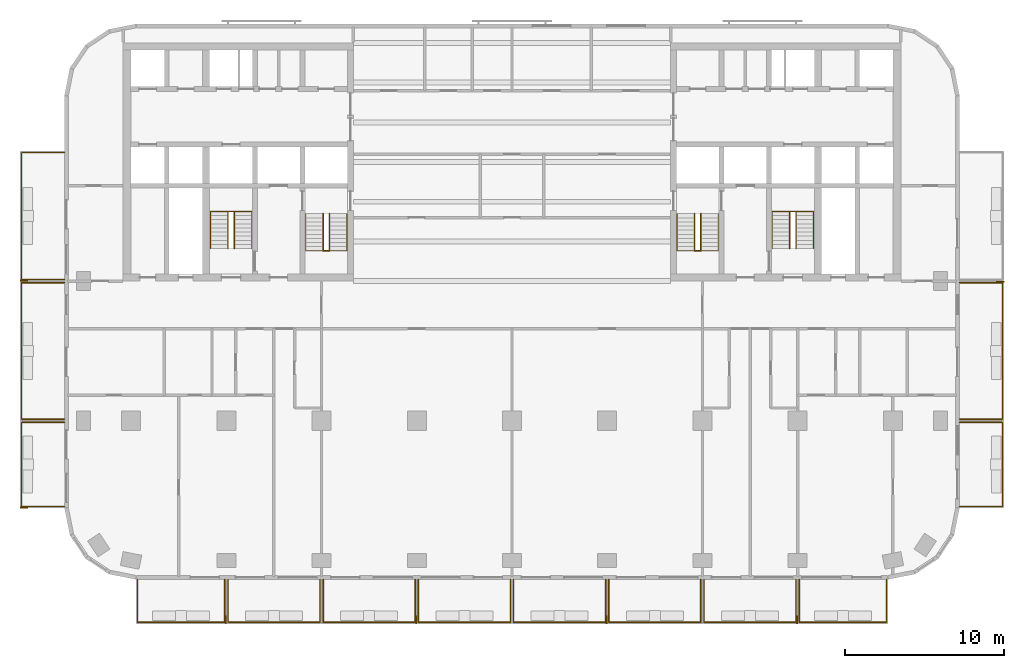
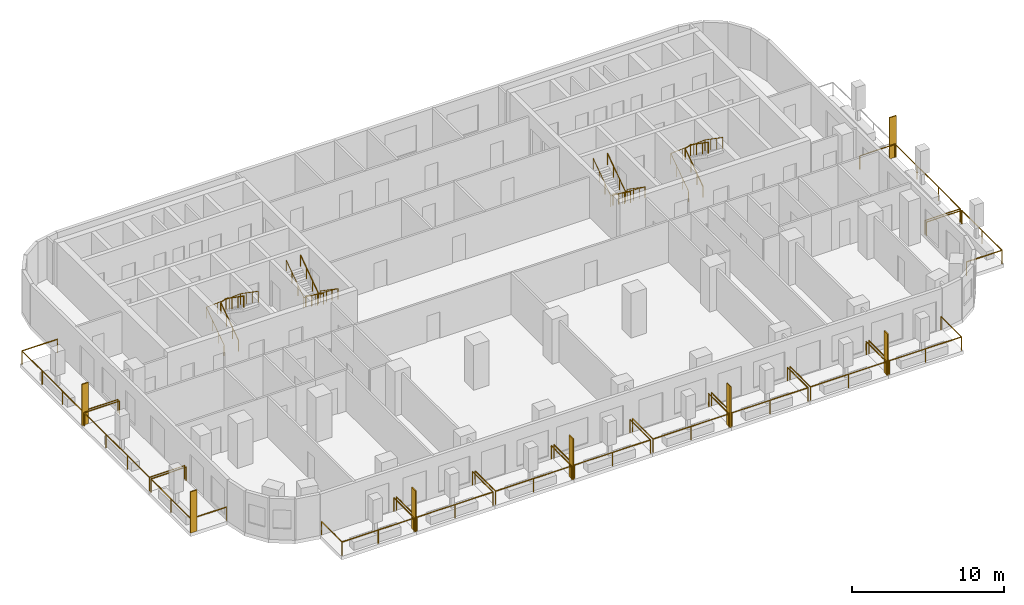
# One storey, part 9 of 11: 21 railings, 7 shading devices.
"""IFC4 building model written with IfcOpenShell, lengths in metres."""

from ifc_helpers import new_model, si_unit, direction, frame, origin, origin_2d, place, context, subcontext, project, spatial, rectangle, circle, extrude, material, layer, layer_set, type_object, element, save


model = new_model("IFC4")

# Units and contexts
model_context = context("Model", 3, precision=1e-05, world=origin(), true_north=direction((0.0, 1.0)))
body_context = subcontext(model_context, "Body", "Model", "MODEL_VIEW")
ifc_project = project(units=[si_unit("LENGTHUNIT", "METRE"), si_unit("AREAUNIT", "SQUARE_METRE"), si_unit("VOLUMEUNIT", "CUBIC_METRE"), si_unit("PLANEANGLEUNIT", "RADIAN"), si_unit("MASSUNIT", "GRAM", prefix="KILO")], contexts=[model_context])

# Site, building, storey
site_placement = place(None, origin())
site = spatial("IfcSite", under=ifc_project, at=site_placement, CompositionType="ELEMENT")
building_placement = place(site_placement, origin())
building = spatial("IfcBuilding", under=site, at=building_placement, Name="Torana Hotel and Residences", CompositionType="ELEMENT")
storey_placement = place(building_placement, frame((0.0, 0.0, 123.60009765625)))
storey = spatial("IfcBuildingStorey", under=building, at=storey_placement, Name="L31", CompositionType="ELEMENT", Elevation=123.60009765625)

# Shading devices
ifc_material_1 = material(Name="Black powder coated aluminium", Category="aluminium")
ifc_layer = layer(ifc_material_1, 0.080078125)
ifc_layer_set = layer_set([ifc_layer], Name="FN1 VERTICAL FIN 500x80")
shading_device_type = type_object("IfcShadingDeviceType", Name="FN1 VERTICAL FIN 500x80", PredefinedType="USERDEFINED", material=ifc_layer_set)
for number, where, z_axis, x_axis, name in (
    (1, (-18.0400390625, -36.35009765625, 0.0), (0.0, 0.0, 1.0), (-1.0, 0.0, 0.0), "Fin 01"),
    (2, (-6.0400390625, -36.35009765625, 0.0), (0.0, 0.0, 1.0), (-1.0, 0.0, 0.0), "Fin 03"),
    (3, (5.9599609375, -36.35009765625, 0.0), (0.0, 0.0, 1.0), (-1.0, 0.0, 0.0), "Fin 05"),
    (4, (17.9599609375, -36.35009765625, 0.0), (0.0, 0.0, 1.0), (-1.0, 0.0, 0.0), "Fin 07"),
    (5, (-30.75, -29.260009765625, 0.0), (0.0, 0.0, 1.0), (0.0, 1.0, 0.0), "Fin 09"),
    (6, (-30.75, -14.9599609375, 0.0), (0.0, 0.0, 1.0), (0.0, 1.0, 0.0), "Fin 11"),
    (7, (30.75, -15.0400390625, 0.0), (0.0, 0.0, 1.0), (0.0, -1.0, 0.0), "Fin 13"),
):
    element("IfcShadingDevice", number, at=place(storey_placement, frame(where, z_axis=z_axis, x_axis=x_axis)), inside=storey, type_object=shading_device_type, Name=name, ObjectType="FIN", PredefinedType="USERDEFINED", context=body_context, shape_type="SweptSolid", body=[
        extrude(rectangle(XDim=0.080078125, YDim=0.5, at=origin_2d()), origin(), (0.0, 0.0, 1.0), 3.320068359375),
    ])

# Railings
ifc_material_2 = material(Name="Laminated glass balustrade with black handrail", Category="glass")
railing_type_1 = type_object("IfcRailingType", Name="GR1 BALCONY GUARD 1100 GLASS", PredefinedType="GUARDRAIL", material=ifc_material_2)
railing_1_placement = place(storey_placement, frame((-18.10009765625, -33.800048828125, 0.0)))
element("IfcRailing", 8, at=railing_1_placement, inside=storey, type_object=railing_type_1, Name="Balcony guard 01", PredefinedType="GUARDRAIL", context=body_context, shape_type="SweptSolid", body=[
    extrude(circle(Radius=0.02392578125, at=origin_2d()), frame((0.0, 0.0, 1.076171875), z_axis=(0.0, -1.0, 0.0), x_axis=(1.0, 0.0, 0.0)), (0.0, 0.0, 1.0), 2.699951171875),
    extrude(circle(Radius=0.02392578125, at=origin_2d()), frame((0.0, -2.699951171875, 1.076171875), z_axis=(-1.0, 0.0, 0.0), x_axis=(0.0, -1.0, 0.0)), (0.0, 0.0, 1.0), 5.5),
    extrude(circle(Radius=0.02392578125, at=origin_2d()), frame((-5.5, -2.699951171875, 1.076171875), z_axis=(0.0, 1.0, 0.0), x_axis=(-1.0, 0.0, 0.0)), (0.0, 0.0, 1.0), 2.699951171875),
    extrude(circle(Radius=0.02099609375, at=origin_2d()), origin(), (0.0, 0.0, 1.0), 1.052001953125),
    extrude(circle(Radius=0.02099609375, at=origin_2d()), frame((0.0, -2.699951171875, 0.0)), (0.0, 0.0, 1.0), 1.052001953125),
    extrude(circle(Radius=0.02099609375, at=origin_2d()), frame((-2.75, -2.699951171875, 0.0)), (0.0, 0.0, 1.0), 1.052001953125),
    extrude(circle(Radius=0.02099609375, at=origin_2d()), frame((-5.5, -2.699951171875, 0.0)), (0.0, 0.0, 1.0), 1.052001953125),
    extrude(circle(Radius=0.02099609375, at=origin_2d()), frame((-5.5, 0.0, 0.0)), (0.0, 0.0, 1.0), 1.052001953125),
])
for number, where, name in (
    (9, (-12.10009765625, -33.800048828125, 0.0), "Balcony guard 02"),
    (10, (-6.10009765625, -33.800048828125, 0.0), "Balcony guard 03"),
    (11, (-0.10009765625, -33.800048828125, 0.0), "Balcony guard 04"),
    (12, (5.89990234375, -33.800048828125, 0.0), "Balcony guard 05"),
    (13, (11.89990234375, -33.800048828125, 0.0), "Balcony guard 06"),
    (14, (17.89990234375, -33.800048828125, 0.0), "Balcony guard 07"),
):
    element("IfcRailing", number, at=place(storey_placement, frame(where)), inside=storey, type_object=railing_type_1, Name=name, PredefinedType="GUARDRAIL", context=body_context, shape_type="SweptSolid", body=[
        extrude(circle(Radius=0.02392578125, at=origin_2d()), frame((0.0, 0.0, 1.076171875), z_axis=(0.0, -1.0, 0.0), x_axis=(1.0, 0.0, 0.0)), (0.0, 0.0, 1.0), 2.699951171875),
        extrude(circle(Radius=0.02392578125, at=origin_2d()), frame((0.0, -2.699951171875, 1.076171875), z_axis=(-1.0, 0.0, 0.0), x_axis=(0.0, -1.0, 0.0)), (0.0, 0.0, 1.0), 5.7998046875),
        extrude(circle(Radius=0.02392578125, at=origin_2d()), frame((-5.7998046875, -2.699951171875, 1.076171875), z_axis=(0.0, 1.0, 0.0), x_axis=(-1.0, 0.0, 0.0)), (0.0, 0.0, 1.0), 2.699951171875),
        extrude(circle(Radius=0.02099609375, at=origin_2d()), origin(), (0.0, 0.0, 1.0), 1.052001953125),
        extrude(circle(Radius=0.02099609375, at=origin_2d()), frame((0.0, -2.699951171875, 0.0)), (0.0, 0.0, 1.0), 1.052001953125),
        extrude(circle(Radius=0.02099609375, at=origin_2d()), frame((-2.89990234375, -2.699951171875, 0.0)), (0.0, 0.0, 1.0), 1.052001953125),
        extrude(circle(Radius=0.02099609375, at=origin_2d()), frame((-5.7998046875, -2.699951171875, 0.0)), (0.0, 0.0, 1.0), 1.052001953125),
        extrude(circle(Radius=0.02099609375, at=origin_2d()), frame((-5.7998046875, 0.0, 0.0)), (0.0, 0.0, 1.0), 1.052001953125),
    ])
railing_2_placement = place(storey_placement, frame((23.60009765625, -33.800048828125, 0.0)))
element("IfcRailing", 15, at=railing_2_placement, inside=storey, type_object=railing_type_1, Name="Balcony guard 08", PredefinedType="GUARDRAIL", context=body_context, shape_type="SweptSolid", body=[
    extrude(circle(Radius=0.02392578125, at=origin_2d()), frame((0.0, 0.0, 1.076171875), z_axis=(0.0, -1.0, 0.0), x_axis=(1.0, 0.0, 0.0)), (0.0, 0.0, 1.0), 2.699951171875),
    extrude(circle(Radius=0.02392578125, at=origin_2d()), frame((0.0, -2.699951171875, 1.076171875), z_axis=(-1.0, 0.0, 0.0), x_axis=(0.0, -1.0, 0.0)), (0.0, 0.0, 1.0), 5.5),
    extrude(circle(Radius=0.02392578125, at=origin_2d()), frame((-5.5, -2.699951171875, 1.076171875), z_axis=(0.0, 1.0, 0.0), x_axis=(-1.0, 0.0, 0.0)), (0.0, 0.0, 1.0), 2.699951171875),
    extrude(circle(Radius=0.02099609375, at=origin_2d()), origin(), (0.0, 0.0, 1.0), 1.052001953125),
    extrude(circle(Radius=0.02099609375, at=origin_2d()), frame((0.0, -2.699951171875, 0.0)), (0.0, 0.0, 1.0), 1.052001953125),
    extrude(circle(Radius=0.02099609375, at=origin_2d()), frame((-2.75, -2.699951171875, 0.0)), (0.0, 0.0, 1.0), 1.052001953125),
    extrude(circle(Radius=0.02099609375, at=origin_2d()), frame((-5.5, -2.699951171875, 0.0)), (0.0, 0.0, 1.0), 1.052001953125),
    extrude(circle(Radius=0.02099609375, at=origin_2d()), frame((-5.5, 0.0, 0.0)), (0.0, 0.0, 1.0), 1.052001953125),
])
railing_3_placement = place(storey_placement, frame((-28.199951171875, -29.199951171875, 0.0)))
element("IfcRailing", 16, at=railing_3_placement, inside=storey, type_object=railing_type_1, Name="Balcony guard 09", PredefinedType="GUARDRAIL", context=body_context, shape_type="SweptSolid", body=[
    extrude(circle(Radius=0.02392578125, at=origin_2d()), frame((0.0, 0.0, 1.076171875), z_axis=(-1.0, 0.0, 0.0), x_axis=(0.0, -1.0, 0.0)), (0.0, 0.0, 1.0), 2.699951171875),
    extrude(circle(Radius=0.02392578125, at=origin_2d()), frame((-2.699951171875, 0.0, 1.076171875), z_axis=(0.0, 1.0, 0.0), x_axis=(-1.0, 0.0, 0.0)), (0.0, 0.0, 1.0), 5.300048828125),
    extrude(circle(Radius=0.02392578125, at=origin_2d()), frame((-2.699951171875, 5.300048828125, 1.076171875), z_axis=(1.0, 0.0, 0.0), x_axis=(0.0, 1.0, 0.0)), (0.0, 0.0, 1.0), 2.699951171875),
    extrude(circle(Radius=0.02099609375, at=origin_2d()), origin(), (0.0, 0.0, 1.0), 1.052001953125),
    extrude(circle(Radius=0.02099609375, at=origin_2d()), frame((-2.699951171875, 0.0, 0.0)), (0.0, 0.0, 1.0), 1.052001953125),
    extrude(circle(Radius=0.02099609375, at=origin_2d()), frame((-2.699951171875, 2.64990234375, 0.0)), (0.0, 0.0, 1.0), 1.052001953125),
    extrude(circle(Radius=0.02099609375, at=origin_2d()), frame((-2.699951171875, 5.300048828125, 0.0)), (0.0, 0.0, 1.0), 1.052001953125),
    extrude(circle(Radius=0.02099609375, at=origin_2d()), frame((0.0, 5.300048828125, 0.0)), (0.0, 0.0, 1.0), 1.052001953125),
])
railing_4_placement = place(storey_placement, frame((-28.199951171875, -23.699951171875, 0.0)))
element("IfcRailing", 17, at=railing_4_placement, inside=storey, type_object=railing_type_1, Name="Balcony guard 10", PredefinedType="GUARDRAIL", context=body_context, shape_type="SweptSolid", body=[
    extrude(circle(Radius=0.02392578125, at=origin_2d()), frame((0.0, 0.0, 1.076171875), z_axis=(-1.0, 0.0, 0.0), x_axis=(0.0, -1.0, 0.0)), (0.0, 0.0, 1.0), 2.699951171875),
    extrude(circle(Radius=0.02392578125, at=origin_2d()), frame((-2.699951171875, 0.0, 1.076171875), z_axis=(0.0, 1.0, 0.0), x_axis=(-1.0, 0.0, 0.0)), (0.0, 0.0, 1.0), 8.599853515625),
    extrude(circle(Radius=0.02392578125, at=origin_2d()), frame((-2.699951171875, 8.599853515625, 1.076171875), z_axis=(1.0, 0.0, 0.0), x_axis=(0.0, 1.0, 0.0)), (0.0, 0.0, 1.0), 2.699951171875),
    extrude(circle(Radius=0.02099609375, at=origin_2d()), origin(), (0.0, 0.0, 1.0), 1.052001953125),
    extrude(circle(Radius=0.02099609375, at=origin_2d()), frame((-2.699951171875, 0.0, 0.0)), (0.0, 0.0, 1.0), 1.052001953125),
    extrude(circle(Radius=0.02099609375, at=origin_2d()), frame((-2.699951171875, 2.86669921875, 0.0)), (0.0, 0.0, 1.0), 1.052001953125),
    extrude(circle(Radius=0.02099609375, at=origin_2d()), frame((-2.699951171875, 5.733154296875, 0.0)), (0.0, 0.0, 1.0), 1.052001953125),
    extrude(circle(Radius=0.02099609375, at=origin_2d()), frame((-2.699951171875, 8.599853515625, 0.0)), (0.0, 0.0, 1.0), 1.052001953125),
    extrude(circle(Radius=0.02099609375, at=origin_2d()), frame((0.0, 8.599853515625, 0.0)), (0.0, 0.0, 1.0), 1.052001953125),
])
railing_5_placement = place(storey_placement, frame((-28.199951171875, -14.89990234375, 0.0)))
element("IfcRailing", 18, at=railing_5_placement, inside=storey, type_object=railing_type_1, Name="Balcony guard 11", PredefinedType="GUARDRAIL", context=body_context, shape_type="SweptSolid", body=[
    extrude(circle(Radius=0.02392578125, at=origin_2d()), frame((0.0, 0.0, 1.076171875), z_axis=(-1.0, 0.0, 0.0), x_axis=(0.0, -1.0, 0.0)), (0.0, 0.0, 1.0), 2.699951171875),
    extrude(circle(Radius=0.02392578125, at=origin_2d()), frame((-2.699951171875, 0.0, 1.076171875), z_axis=(0.0, 1.0, 0.0), x_axis=(-1.0, 0.0, 0.0)), (0.0, 0.0, 1.0), 8.0),
    extrude(circle(Radius=0.02392578125, at=origin_2d()), frame((-2.699951171875, 8.0, 1.076171875), z_axis=(1.0, 0.0, 0.0), x_axis=(0.0, 1.0, 0.0)), (0.0, 0.0, 1.0), 2.699951171875),
    extrude(circle(Radius=0.02099609375, at=origin_2d()), origin(), (0.0, 0.0, 1.0), 1.052001953125),
    extrude(circle(Radius=0.02099609375, at=origin_2d()), frame((-2.699951171875, 0.0, 0.0)), (0.0, 0.0, 1.0), 1.052001953125),
    extrude(circle(Radius=0.02099609375, at=origin_2d()), frame((-2.699951171875, 2.666748046875, 0.0)), (0.0, 0.0, 1.0), 1.052001953125),
    extrude(circle(Radius=0.02099609375, at=origin_2d()), frame((-2.699951171875, 5.333251953125, 0.0)), (0.0, 0.0, 1.0), 1.052001953125),
    extrude(circle(Radius=0.02099609375, at=origin_2d()), frame((-2.699951171875, 8.0, 0.0)), (0.0, 0.0, 1.0), 1.052001953125),
    extrude(circle(Radius=0.02099609375, at=origin_2d()), frame((0.0, 8.0, 0.0)), (0.0, 0.0, 1.0), 1.052001953125),
])
railing_6_placement = place(storey_placement, frame((28.199951171875, -23.89990234375, 0.0)))
element("IfcRailing", 19, at=railing_6_placement, inside=storey, type_object=railing_type_1, Name="Balcony guard 12", PredefinedType="GUARDRAIL", context=body_context, shape_type="SweptSolid", body=[
    extrude(circle(Radius=0.02392578125, at=origin_2d()), frame((0.0, 0.0, 1.076171875), z_axis=(1.0, 0.0, 0.0), x_axis=(0.0, 1.0, 0.0)), (0.0, 0.0, 1.0), 2.699951171875),
    extrude(circle(Radius=0.02392578125, at=origin_2d()), frame((2.699951171875, 0.0, 1.076171875), z_axis=(0.0, -1.0, 0.0), x_axis=(1.0, 0.0, 0.0)), (0.0, 0.0, 1.0), 5.300048828125),
    extrude(circle(Radius=0.02392578125, at=origin_2d()), frame((2.699951171875, -5.300048828125, 1.076171875), z_axis=(-1.0, 0.0, 0.0), x_axis=(0.0, -1.0, 0.0)), (0.0, 0.0, 1.0), 2.699951171875),
    extrude(circle(Radius=0.02099609375, at=origin_2d()), origin(), (0.0, 0.0, 1.0), 1.052001953125),
    extrude(circle(Radius=0.02099609375, at=origin_2d()), frame((2.699951171875, 0.0, 0.0)), (0.0, 0.0, 1.0), 1.052001953125),
    extrude(circle(Radius=0.02099609375, at=origin_2d()), frame((2.699951171875, -2.64990234375, 0.0)), (0.0, 0.0, 1.0), 1.052001953125),
    extrude(circle(Radius=0.02099609375, at=origin_2d()), frame((2.699951171875, -5.300048828125, 0.0)), (0.0, 0.0, 1.0), 1.052001953125),
    extrude(circle(Radius=0.02099609375, at=origin_2d()), frame((0.0, -5.300048828125, 0.0)), (0.0, 0.0, 1.0), 1.052001953125),
])
railing_7_placement = place(storey_placement, frame((28.199951171875, -15.10009765625, 0.0)))
element("IfcRailing", 20, at=railing_7_placement, inside=storey, type_object=railing_type_1, Name="Balcony guard 13", PredefinedType="GUARDRAIL", context=body_context, shape_type="SweptSolid", body=[
    extrude(circle(Radius=0.02392578125, at=origin_2d()), frame((0.0, 0.0, 1.076171875), z_axis=(1.0, 0.0, 0.0), x_axis=(0.0, 1.0, 0.0)), (0.0, 0.0, 1.0), 2.699951171875),
    extrude(circle(Radius=0.02392578125, at=origin_2d()), frame((2.699951171875, 0.0, 1.076171875), z_axis=(0.0, -1.0, 0.0), x_axis=(1.0, 0.0, 0.0)), (0.0, 0.0, 1.0), 8.599853515625),
    extrude(circle(Radius=0.02392578125, at=origin_2d()), frame((2.699951171875, -8.599853515625, 1.076171875), z_axis=(-1.0, 0.0, 0.0), x_axis=(0.0, -1.0, 0.0)), (0.0, 0.0, 1.0), 2.699951171875),
    extrude(circle(Radius=0.02099609375, at=origin_2d()), origin(), (0.0, 0.0, 1.0), 1.052001953125),
    extrude(circle(Radius=0.02099609375, at=origin_2d()), frame((2.699951171875, 0.0, 0.0)), (0.0, 0.0, 1.0), 1.052001953125),
    extrude(circle(Radius=0.02099609375, at=origin_2d()), frame((2.699951171875, -2.86669921875, 0.0)), (0.0, 0.0, 1.0), 1.052001953125),
    extrude(circle(Radius=0.02099609375, at=origin_2d()), frame((2.699951171875, -5.733154296875, 0.0)), (0.0, 0.0, 1.0), 1.052001953125),
    extrude(circle(Radius=0.02099609375, at=origin_2d()), frame((2.699951171875, -8.599853515625, 0.0)), (0.0, 0.0, 1.0), 1.052001953125),
    extrude(circle(Radius=0.02099609375, at=origin_2d()), frame((0.0, -8.599853515625, 0.0)), (0.0, 0.0, 1.0), 1.052001953125),
])
ifc_material_3 = material(Name="Stainless steel 316", Category="steel")
railing_type_2 = type_object("IfcRailingType", Name="STAIR HANDRAIL HR1 900", PredefinedType="HANDRAIL", material=ifc_material_3)
railing_8_placement = place(storey_placement, frame((-10.39990234375, -10.75, 0.179931640625)))
element("IfcRailing", 21, at=railing_8_placement, inside=storey, type_object=railing_type_2, Name="Handrail ST1 L31 O1", PredefinedType="HANDRAIL", context=body_context, shape_type="SweptSolid", body=[
    extrude(circle(Radius=0.02392578125, at=origin_2d()), frame((0.0, 0.0, 0.8759765625), z_axis=(0.0, -0.822223072051, 0.569165371211), x_axis=(1.0, 0.0, 0.0)), (0.0, 0.0, 1.0), 2.845947265625),
    extrude(circle(Radius=0.02392578125, at=origin_2d()), frame((0.0, -2.340087890625, 2.49560546875), z_axis=(-0.997607660209, 0.0, 0.069129995609), x_axis=(0.0, -1.0, 0.0)), (0.0, 0.0, 1.0), 2.6064453125),
    extrude(circle(Radius=0.02392578125, at=origin_2d()), frame((-2.60009765625, -2.340087890625, 2.67578125), z_axis=(0.0, 0.822223072051, 0.569165371211), x_axis=(-1.0, 0.0, 0.0)), (0.0, 0.0, 1.0), 2.845947265625),
    extrude(circle(Radius=0.02099609375, at=origin_2d()), origin(), (0.0, 0.0, 1.0), 0.851806640625),
    extrude(circle(Radius=0.02099609375, at=origin_2d()), frame((0.0, -0.780029296875, 0.5400390625)), (0.0, 0.0, 1.0), 0.851806640625),
    extrude(circle(Radius=0.02099609375, at=origin_2d()), frame((0.0, -1.56005859375, 1.079833984375)), (0.0, 0.0, 1.0), 0.851806640625),
    extrude(circle(Radius=0.02099609375, at=origin_2d()), frame((0.0, -2.340087890625, 1.619873046875)), (0.0, 0.0, 1.0), 0.851806640625),
    extrude(circle(Radius=0.02099609375, at=origin_2d()), frame((-0.86669921875, -2.340087890625, 1.679931640625)), (0.0, 0.0, 1.0), 0.851806640625),
    extrude(circle(Radius=0.02099609375, at=origin_2d()), frame((-1.7333984375, -2.340087890625, 1.739990234375)), (0.0, 0.0, 1.0), 0.851806640625),
    extrude(circle(Radius=0.02099609375, at=origin_2d()), frame((-2.60009765625, -2.340087890625, 1.800048828125)), (0.0, 0.0, 1.0), 0.851806640625),
    extrude(circle(Radius=0.02099609375, at=origin_2d()), frame((-2.60009765625, -1.56005859375, 2.340087890625)), (0.0, 0.0, 1.0), 0.851806640625),
    extrude(circle(Radius=0.02099609375, at=origin_2d()), frame((-2.60009765625, -0.780029296875, 2.8798828125)), (0.0, 0.0, 1.0), 0.851806640625),
    extrude(circle(Radius=0.02099609375, at=origin_2d()), frame((-2.60009765625, 0.0, 3.419921875)), (0.0, 0.0, 1.0), 0.851806640625),
])
railing_9_placement = place(storey_placement, frame((-11.5, -10.75, 0.179931640625)))
element("IfcRailing", 22, at=railing_9_placement, inside=storey, type_object=railing_type_2, Name="Handrail ST1 L31 I1", PredefinedType="HANDRAIL", context=body_context, shape_type="SweptSolid", body=[
    extrude(circle(Radius=0.02392578125, at=origin_2d()), frame((0.0, 0.0, 0.8759765625), z_axis=(0.0, -0.822223072051, 0.569165371211), x_axis=(1.0, 0.0, 0.0)), (0.0, 0.0, 1.0), 2.845947265625),
    extrude(circle(Radius=0.02392578125, at=origin_2d()), frame((0.0, -2.340087890625, 2.49560546875), z_axis=(-0.911733943306, 0.0, 0.410781227204), x_axis=(0.0, -1.0, 0.0)), (0.0, 0.0, 1.0), 0.438720703125),
    extrude(circle(Radius=0.02392578125, at=origin_2d()), frame((-0.39990234375, -2.340087890625, 2.67578125), z_axis=(0.0, 0.822223072051, 0.569165371211), x_axis=(-1.0, 0.0, 0.0)), (0.0, 0.0, 1.0), 2.845947265625),
    extrude(circle(Radius=0.02099609375, at=origin_2d()), origin(), (0.0, 0.0, 1.0), 0.851806640625),
    extrude(circle(Radius=0.02099609375, at=origin_2d()), frame((0.0, -0.780029296875, 0.5400390625)), (0.0, 0.0, 1.0), 0.851806640625),
    extrude(circle(Radius=0.02099609375, at=origin_2d()), frame((0.0, -1.56005859375, 1.079833984375)), (0.0, 0.0, 1.0), 0.851806640625),
    extrude(circle(Radius=0.02099609375, at=origin_2d()), frame((0.0, -2.340087890625, 1.619873046875)), (0.0, 0.0, 1.0), 0.851806640625),
    extrude(circle(Radius=0.02099609375, at=origin_2d()), frame((-0.39990234375, -2.340087890625, 1.800048828125)), (0.0, 0.0, 1.0), 0.851806640625),
    extrude(circle(Radius=0.02099609375, at=origin_2d()), frame((-0.39990234375, -1.56005859375, 2.340087890625)), (0.0, 0.0, 1.0), 0.851806640625),
    extrude(circle(Radius=0.02099609375, at=origin_2d()), frame((-0.39990234375, -0.780029296875, 2.8798828125)), (0.0, 0.0, 1.0), 0.851806640625),
    extrude(circle(Radius=0.02099609375, at=origin_2d()), frame((-0.39990234375, 0.0, 3.419921875)), (0.0, 0.0, 1.0), 0.851806640625),
])
railing_10_placement = place(storey_placement, frame((-19.0, -12.949951171875, 0.179931640625)))
element("IfcRailing", 23, at=railing_10_placement, inside=storey, type_object=railing_type_2, Name="Handrail ST2 L31 O1", PredefinedType="HANDRAIL", context=body_context, shape_type="SweptSolid", body=[
    extrude(circle(Radius=0.02392578125, at=origin_2d()), frame((0.0, 0.0, 0.8759765625), z_axis=(0.0, 0.822195280011, 0.569205517829), x_axis=(-1.0, 0.0, 0.0)), (0.0, 0.0, 1.0), 2.845947265625),
    extrude(circle(Radius=0.02392578125, at=origin_2d()), frame((0.0, 2.33984375, 2.49560546875), z_axis=(0.997607660209, 0.0, 0.069129995609), x_axis=(0.0, 1.0, 0.0)), (0.0, 0.0, 1.0), 2.6064453125),
    extrude(circle(Radius=0.02392578125, at=origin_2d()), frame((2.60009765625, 2.33984375, 2.67578125), z_axis=(0.0, -0.822195280011, 0.569205517829), x_axis=(1.0, 0.0, 0.0)), (0.0, 0.0, 1.0), 2.845947265625),
    extrude(circle(Radius=0.02099609375, at=origin_2d()), origin(), (0.0, 0.0, 1.0), 0.851806640625),
    extrude(circle(Radius=0.02099609375, at=origin_2d()), frame((0.0, 0.780029296875, 0.5400390625)), (0.0, 0.0, 1.0), 0.851806640625),
    extrude(circle(Radius=0.02099609375, at=origin_2d()), frame((0.0, 1.559814453125, 1.079833984375)), (0.0, 0.0, 1.0), 0.851806640625),
    extrude(circle(Radius=0.02099609375, at=origin_2d()), frame((0.0, 2.33984375, 1.619873046875)), (0.0, 0.0, 1.0), 0.851806640625),
    extrude(circle(Radius=0.02099609375, at=origin_2d()), frame((0.86669921875, 2.33984375, 1.679931640625)), (0.0, 0.0, 1.0), 0.851806640625),
    extrude(circle(Radius=0.02099609375, at=origin_2d()), frame((1.7333984375, 2.33984375, 1.739990234375)), (0.0, 0.0, 1.0), 0.851806640625),
    extrude(circle(Radius=0.02099609375, at=origin_2d()), frame((2.60009765625, 2.33984375, 1.800048828125)), (0.0, 0.0, 1.0), 0.851806640625),
    extrude(circle(Radius=0.02099609375, at=origin_2d()), frame((2.60009765625, 1.559814453125, 2.340087890625)), (0.0, 0.0, 1.0), 0.851806640625),
    extrude(circle(Radius=0.02099609375, at=origin_2d()), frame((2.60009765625, 0.780029296875, 2.8798828125)), (0.0, 0.0, 1.0), 0.851806640625),
    extrude(circle(Radius=0.02099609375, at=origin_2d()), frame((2.60009765625, 0.0, 3.419921875)), (0.0, 0.0, 1.0), 0.851806640625),
])
railing_11_placement = place(storey_placement, frame((-17.89990234375, -12.949951171875, 0.179931640625)))
element("IfcRailing", 24, at=railing_11_placement, inside=storey, type_object=railing_type_2, Name="Handrail ST2 L31 I1", PredefinedType="HANDRAIL", context=body_context, shape_type="SweptSolid", body=[
    extrude(circle(Radius=0.02392578125, at=origin_2d()), frame((0.0, 0.0, 0.8759765625), z_axis=(0.0, 0.822195280011, 0.569205517829), x_axis=(-1.0, 0.0, 0.0)), (0.0, 0.0, 1.0), 2.845947265625),
    extrude(circle(Radius=0.02392578125, at=origin_2d()), frame((0.0, 2.33984375, 2.49560546875), z_axis=(0.911733943306, 0.0, 0.410781227204), x_axis=(0.0, 1.0, 0.0)), (0.0, 0.0, 1.0), 0.438720703125),
    extrude(circle(Radius=0.02392578125, at=origin_2d()), frame((0.39990234375, 2.33984375, 2.67578125), z_axis=(0.0, -0.822195280011, 0.569205517829), x_axis=(1.0, 0.0, 0.0)), (0.0, 0.0, 1.0), 2.845947265625),
    extrude(circle(Radius=0.02099609375, at=origin_2d()), origin(), (0.0, 0.0, 1.0), 0.851806640625),
    extrude(circle(Radius=0.02099609375, at=origin_2d()), frame((0.0, 0.780029296875, 0.5400390625)), (0.0, 0.0, 1.0), 0.851806640625),
    extrude(circle(Radius=0.02099609375, at=origin_2d()), frame((0.0, 1.559814453125, 1.079833984375)), (0.0, 0.0, 1.0), 0.851806640625),
    extrude(circle(Radius=0.02099609375, at=origin_2d()), frame((0.0, 2.33984375, 1.619873046875)), (0.0, 0.0, 1.0), 0.851806640625),
    extrude(circle(Radius=0.02099609375, at=origin_2d()), frame((0.39990234375, 2.33984375, 1.800048828125)), (0.0, 0.0, 1.0), 0.851806640625),
    extrude(circle(Radius=0.02099609375, at=origin_2d()), frame((0.39990234375, 1.559814453125, 2.340087890625)), (0.0, 0.0, 1.0), 0.851806640625),
    extrude(circle(Radius=0.02099609375, at=origin_2d()), frame((0.39990234375, 0.780029296875, 2.8798828125)), (0.0, 0.0, 1.0), 0.851806640625),
    extrude(circle(Radius=0.02099609375, at=origin_2d()), frame((0.39990234375, 0.0, 3.419921875)), (0.0, 0.0, 1.0), 0.851806640625),
])
railing_12_placement = place(storey_placement, frame((13.0, -10.75, 0.179931640625)))
element("IfcRailing", 25, at=railing_12_placement, inside=storey, type_object=railing_type_2, Name="Handrail ST3 L31 O1", PredefinedType="HANDRAIL", context=body_context, shape_type="SweptSolid", body=[
    extrude(circle(Radius=0.02392578125, at=origin_2d()), frame((0.0, 0.0, 0.8759765625), z_axis=(0.0, -0.822223072051, 0.569165371211), x_axis=(1.0, 0.0, 0.0)), (0.0, 0.0, 1.0), 2.845947265625),
    extrude(circle(Radius=0.02392578125, at=origin_2d()), frame((0.0, -2.340087890625, 2.49560546875), z_axis=(-0.997607660209, 0.0, 0.069129995609), x_axis=(0.0, -1.0, 0.0)), (0.0, 0.0, 1.0), 2.6064453125),
    extrude(circle(Radius=0.02392578125, at=origin_2d()), frame((-2.60009765625, -2.340087890625, 2.67578125), z_axis=(0.0, 0.822223072051, 0.569165371211), x_axis=(-1.0, 0.0, 0.0)), (0.0, 0.0, 1.0), 2.845947265625),
    extrude(circle(Radius=0.02099609375, at=origin_2d()), origin(), (0.0, 0.0, 1.0), 0.851806640625),
    extrude(circle(Radius=0.02099609375, at=origin_2d()), frame((0.0, -0.780029296875, 0.5400390625)), (0.0, 0.0, 1.0), 0.851806640625),
    extrude(circle(Radius=0.02099609375, at=origin_2d()), frame((0.0, -1.56005859375, 1.079833984375)), (0.0, 0.0, 1.0), 0.851806640625),
    extrude(circle(Radius=0.02099609375, at=origin_2d()), frame((0.0, -2.340087890625, 1.619873046875)), (0.0, 0.0, 1.0), 0.851806640625),
    extrude(circle(Radius=0.02099609375, at=origin_2d()), frame((-0.86669921875, -2.340087890625, 1.679931640625)), (0.0, 0.0, 1.0), 0.851806640625),
    extrude(circle(Radius=0.02099609375, at=origin_2d()), frame((-1.7333984375, -2.340087890625, 1.739990234375)), (0.0, 0.0, 1.0), 0.851806640625),
    extrude(circle(Radius=0.02099609375, at=origin_2d()), frame((-2.60009765625, -2.340087890625, 1.800048828125)), (0.0, 0.0, 1.0), 0.851806640625),
    extrude(circle(Radius=0.02099609375, at=origin_2d()), frame((-2.60009765625, -1.56005859375, 2.340087890625)), (0.0, 0.0, 1.0), 0.851806640625),
    extrude(circle(Radius=0.02099609375, at=origin_2d()), frame((-2.60009765625, -0.780029296875, 2.8798828125)), (0.0, 0.0, 1.0), 0.851806640625),
    extrude(circle(Radius=0.02099609375, at=origin_2d()), frame((-2.60009765625, 0.0, 3.419921875)), (0.0, 0.0, 1.0), 0.851806640625),
])
railing_13_placement = place(storey_placement, frame((11.89990234375, -10.75, 0.179931640625)))
element("IfcRailing", 26, at=railing_13_placement, inside=storey, type_object=railing_type_2, Name="Handrail ST3 L31 I1", PredefinedType="HANDRAIL", context=body_context, shape_type="SweptSolid", body=[
    extrude(circle(Radius=0.02392578125, at=origin_2d()), frame((0.0, 0.0, 0.8759765625), z_axis=(0.0, -0.822223072051, 0.569165371211), x_axis=(1.0, 0.0, 0.0)), (0.0, 0.0, 1.0), 2.845947265625),
    extrude(circle(Radius=0.02392578125, at=origin_2d()), frame((0.0, -2.340087890625, 2.49560546875), z_axis=(-0.911733943306, 0.0, 0.410781227204), x_axis=(0.0, -1.0, 0.0)), (0.0, 0.0, 1.0), 0.438720703125),
    extrude(circle(Radius=0.02392578125, at=origin_2d()), frame((-0.39990234375, -2.340087890625, 2.67578125), z_axis=(0.0, 0.822223072051, 0.569165371211), x_axis=(-1.0, 0.0, 0.0)), (0.0, 0.0, 1.0), 2.845947265625),
    extrude(circle(Radius=0.02099609375, at=origin_2d()), origin(), (0.0, 0.0, 1.0), 0.851806640625),
    extrude(circle(Radius=0.02099609375, at=origin_2d()), frame((0.0, -0.780029296875, 0.5400390625)), (0.0, 0.0, 1.0), 0.851806640625),
    extrude(circle(Radius=0.02099609375, at=origin_2d()), frame((0.0, -1.56005859375, 1.079833984375)), (0.0, 0.0, 1.0), 0.851806640625),
    extrude(circle(Radius=0.02099609375, at=origin_2d()), frame((0.0, -2.340087890625, 1.619873046875)), (0.0, 0.0, 1.0), 0.851806640625),
    extrude(circle(Radius=0.02099609375, at=origin_2d()), frame((-0.39990234375, -2.340087890625, 1.800048828125)), (0.0, 0.0, 1.0), 0.851806640625),
    extrude(circle(Radius=0.02099609375, at=origin_2d()), frame((-0.39990234375, -1.56005859375, 2.340087890625)), (0.0, 0.0, 1.0), 0.851806640625),
    extrude(circle(Radius=0.02099609375, at=origin_2d()), frame((-0.39990234375, -0.780029296875, 2.8798828125)), (0.0, 0.0, 1.0), 0.851806640625),
    extrude(circle(Radius=0.02099609375, at=origin_2d()), frame((-0.39990234375, 0.0, 3.419921875)), (0.0, 0.0, 1.0), 0.851806640625),
])
railing_14_placement = place(storey_placement, frame((16.39990234375, -12.949951171875, 0.179931640625)))
element("IfcRailing", 27, at=railing_14_placement, inside=storey, type_object=railing_type_2, Name="Handrail ST4 L31 O1", PredefinedType="HANDRAIL", context=body_context, shape_type="SweptSolid", body=[
    extrude(circle(Radius=0.02392578125, at=origin_2d()), frame((0.0, 0.0, 0.8759765625), z_axis=(0.0, 0.822195280011, 0.569205517829), x_axis=(-1.0, 0.0, 0.0)), (0.0, 0.0, 1.0), 2.845947265625),
    extrude(circle(Radius=0.02392578125, at=origin_2d()), frame((0.0, 2.33984375, 2.49560546875), z_axis=(0.997607660209, 0.0, 0.069129995609), x_axis=(0.0, 1.0, 0.0)), (0.0, 0.0, 1.0), 2.6064453125),
    extrude(circle(Radius=0.02392578125, at=origin_2d()), frame((2.60009765625, 2.33984375, 2.67578125), z_axis=(0.0, -0.822195280011, 0.569205517829), x_axis=(1.0, 0.0, 0.0)), (0.0, 0.0, 1.0), 2.845947265625),
    extrude(circle(Radius=0.02099609375, at=origin_2d()), origin(), (0.0, 0.0, 1.0), 0.851806640625),
    extrude(circle(Radius=0.02099609375, at=origin_2d()), frame((0.0, 0.780029296875, 0.5400390625)), (0.0, 0.0, 1.0), 0.851806640625),
    extrude(circle(Radius=0.02099609375, at=origin_2d()), frame((0.0, 1.559814453125, 1.079833984375)), (0.0, 0.0, 1.0), 0.851806640625),
    extrude(circle(Radius=0.02099609375, at=origin_2d()), frame((0.0, 2.33984375, 1.619873046875)), (0.0, 0.0, 1.0), 0.851806640625),
    extrude(circle(Radius=0.02099609375, at=origin_2d()), frame((0.86669921875, 2.33984375, 1.679931640625)), (0.0, 0.0, 1.0), 0.851806640625),
    extrude(circle(Radius=0.02099609375, at=origin_2d()), frame((1.7333984375, 2.33984375, 1.739990234375)), (0.0, 0.0, 1.0), 0.851806640625),
    extrude(circle(Radius=0.02099609375, at=origin_2d()), frame((2.60009765625, 2.33984375, 1.800048828125)), (0.0, 0.0, 1.0), 0.851806640625),
    extrude(circle(Radius=0.02099609375, at=origin_2d()), frame((2.60009765625, 1.559814453125, 2.340087890625)), (0.0, 0.0, 1.0), 0.851806640625),
    extrude(circle(Radius=0.02099609375, at=origin_2d()), frame((2.60009765625, 0.780029296875, 2.8798828125)), (0.0, 0.0, 1.0), 0.851806640625),
    extrude(circle(Radius=0.02099609375, at=origin_2d()), frame((2.60009765625, 0.0, 3.419921875)), (0.0, 0.0, 1.0), 0.851806640625),
])
railing_15_placement = place(storey_placement, frame((17.5, -12.949951171875, 0.179931640625)))
element("IfcRailing", 28, at=railing_15_placement, inside=storey, type_object=railing_type_2, Name="Handrail ST4 L31 I1", PredefinedType="HANDRAIL", context=body_context, shape_type="SweptSolid", body=[
    extrude(circle(Radius=0.02392578125, at=origin_2d()), frame((0.0, 0.0, 0.8759765625), z_axis=(0.0, 0.822195280011, 0.569205517829), x_axis=(-1.0, 0.0, 0.0)), (0.0, 0.0, 1.0), 2.845947265625),
    extrude(circle(Radius=0.02392578125, at=origin_2d()), frame((0.0, 2.33984375, 2.49560546875), z_axis=(0.911733943306, 0.0, 0.410781227204), x_axis=(0.0, 1.0, 0.0)), (0.0, 0.0, 1.0), 0.438720703125),
    extrude(circle(Radius=0.02392578125, at=origin_2d()), frame((0.39990234375, 2.33984375, 2.67578125), z_axis=(0.0, -0.822195280011, 0.569205517829), x_axis=(1.0, 0.0, 0.0)), (0.0, 0.0, 1.0), 2.845947265625),
    extrude(circle(Radius=0.02099609375, at=origin_2d()), origin(), (0.0, 0.0, 1.0), 0.851806640625),
    extrude(circle(Radius=0.02099609375, at=origin_2d()), frame((0.0, 0.780029296875, 0.5400390625)), (0.0, 0.0, 1.0), 0.851806640625),
    extrude(circle(Radius=0.02099609375, at=origin_2d()), frame((0.0, 1.559814453125, 1.079833984375)), (0.0, 0.0, 1.0), 0.851806640625),
    extrude(circle(Radius=0.02099609375, at=origin_2d()), frame((0.0, 2.33984375, 1.619873046875)), (0.0, 0.0, 1.0), 0.851806640625),
    extrude(circle(Radius=0.02099609375, at=origin_2d()), frame((0.39990234375, 2.33984375, 1.800048828125)), (0.0, 0.0, 1.0), 0.851806640625),
    extrude(circle(Radius=0.02099609375, at=origin_2d()), frame((0.39990234375, 1.559814453125, 2.340087890625)), (0.0, 0.0, 1.0), 0.851806640625),
    extrude(circle(Radius=0.02099609375, at=origin_2d()), frame((0.39990234375, 0.780029296875, 2.8798828125)), (0.0, 0.0, 1.0), 0.851806640625),
    extrude(circle(Radius=0.02099609375, at=origin_2d()), frame((0.39990234375, 0.0, 3.419921875)), (0.0, 0.0, 1.0), 0.851806640625),
])

save(model, "model.ifc")
